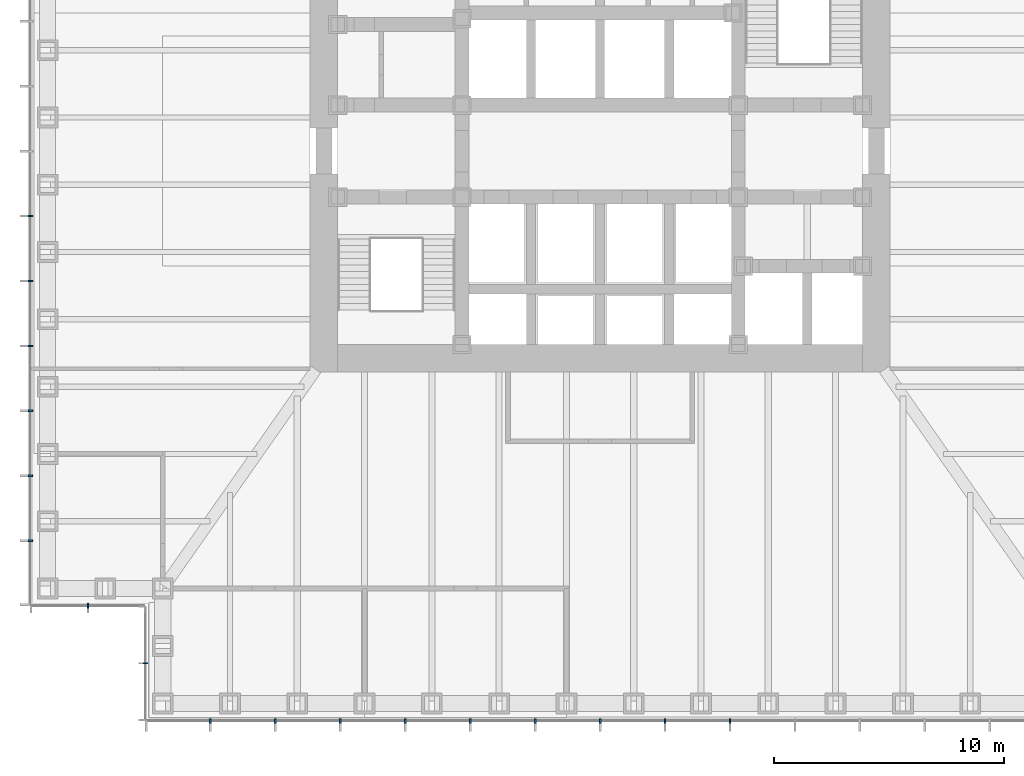
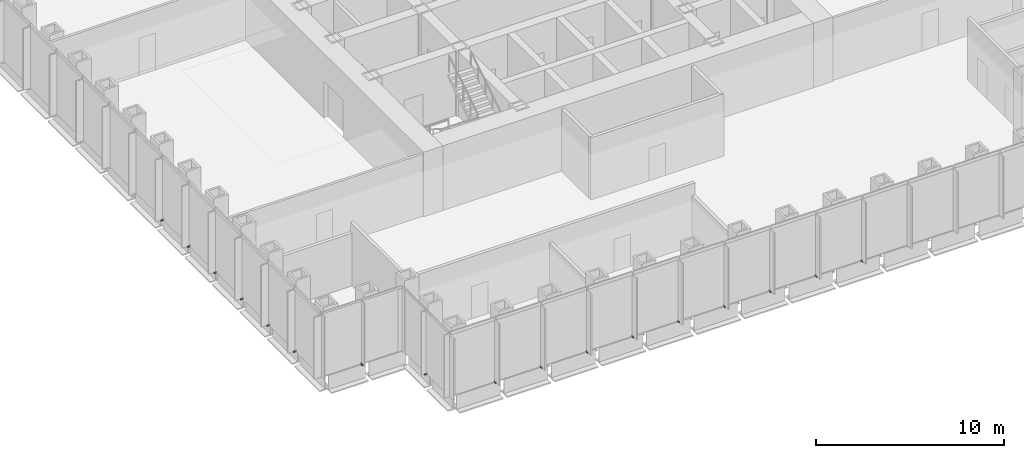
# One storey, part 11 of 16: 17 discrete accessories.
"""IFC4 building model written with IfcOpenShell, lengths in metres."""

from ifc_helpers import new_model, si_unit, direction, frame, origin, origin_2d, place, context, subcontext, project, spatial, rectangle, extrude, element, save


model = new_model("IFC4")

# Units and contexts
model_context = context("Model", 3, precision=1e-05, world=origin(), true_north=direction((0.0, 1.0)))
body_context = subcontext(model_context, "Body", "Model", "MODEL_VIEW")
ifc_project = project(units=[si_unit("LENGTHUNIT", "METRE"), si_unit("AREAUNIT", "SQUARE_METRE"), si_unit("VOLUMEUNIT", "CUBIC_METRE"), si_unit("PLANEANGLEUNIT", "RADIAN"), si_unit("MASSUNIT", "GRAM", prefix="KILO")], contexts=[model_context])

# Site, building, storey
site_placement = place(None, origin())
site = spatial("IfcSite", under=ifc_project, at=site_placement, CompositionType="ELEMENT")
building_placement = place(site_placement, origin())
building = spatial("IfcBuilding", under=site, at=building_placement, Name="Daluyong Arena Tower", CompositionType="ELEMENT")
storey_placement = place(building_placement, frame((0.0, 0.0, 64.300048828125)))
storey = spatial("IfcBuildingStorey", under=building, at=storey_placement, Name="L13", CompositionType="ELEMENT", Elevation=64.300048828125)

# Discrete accessories
for number, where, z_axis, x_axis, name in (
    (1, (39.071533203125, 55.25, -0.10009765625), (0.0, 0.0, 1.0), (1.0, 0.0, 0.0), "curtain wall L13 S anchor bracket 2"),
    (2, (41.892822265625, 55.25, -0.10009765625), (0.0, 0.0, 1.0), (1.0, 0.0, 0.0), "curtain wall L13 S anchor bracket 3"),
    (3, (44.71435546875, 55.25, -0.10009765625), (0.0, 0.0, 1.0), (1.0, 0.0, 0.0), "curtain wall L13 S anchor bracket 4"),
    (4, (47.53564453125, 55.25, -0.10009765625), (0.0, 0.0, 1.0), (1.0, 0.0, 0.0), "curtain wall L13 S anchor bracket 5"),
    (5, (50.357177734375, 55.25, -0.10009765625), (0.0, 0.0, 1.0), (1.0, 0.0, 0.0), "curtain wall L13 S anchor bracket 6"),
    (6, (53.178466796875, 55.25, -0.10009765625), (0.0, 0.0, 1.0), (1.0, 0.0, 0.0), "curtain wall L13 S anchor bracket 7"),
    (7, (56.0, 55.25, -0.10009765625), (0.0, 0.0, 1.0), (1.0, 0.0, 0.0), "curtain wall L13 S anchor bracket 8"),
    (8, (58.821533203125, 55.25, -0.10009765625), (0.0, 0.0, 1.0), (1.0, 0.0, 0.0), "curtain wall L13 S anchor bracket 9"),
    (9, (61.642822265625, 55.25, -0.10009765625), (0.0, 0.0, 1.0), (1.0, 0.0, 0.0), "curtain wall L13 S anchor bracket 10"),
    (10, (31.25, 77.178466796875, -0.10009765625), (0.0, 0.0, 1.0), (0.0, -1.0, 0.0), "curtain wall L13 W anchor bracket 9"),
    (11, (31.25, 74.357177734375, -0.10009765625), (0.0, 0.0, 1.0), (0.0, -1.0, 0.0), "curtain wall L13 W anchor bracket 10"),
    (12, (31.25, 71.53564453125, -0.10009765625), (0.0, 0.0, 1.0), (0.0, -1.0, 0.0), "curtain wall L13 W anchor bracket 11"),
    (13, (31.25, 68.71435546875, -0.10009765625), (0.0, 0.0, 1.0), (0.0, -1.0, 0.0), "curtain wall L13 W anchor bracket 12"),
    (14, (31.25, 65.892822265625, -0.10009765625), (0.0, 0.0, 1.0), (0.0, -1.0, 0.0), "curtain wall L13 W anchor bracket 13"),
    (15, (31.25, 63.071533203125, -0.10009765625), (0.0, 0.0, 1.0), (0.0, -1.0, 0.0), "curtain wall L13 W anchor bracket 14"),
):
    element("IfcDiscreteAccessory", number, at=place(storey_placement, frame(where, z_axis=z_axis, x_axis=x_axis)), inside=storey, Name=name, PredefinedType="BRACKET", context=body_context, shape_type="SweptSolid", body=[
        extrude(rectangle(XDim=0.080078125, YDim=0.199951171875, at=origin_2d()), origin(), (0.0, 0.0, 1.0), 0.10009765625),
    ])
for number, where, z_axis, x_axis, name in (
    (16, (33.75, 60.25, -0.10009765625), (0.0, 0.0, 1.0), (1.0, 0.0, 0.0), "curtain wall L13 SW-S anchor bracket 2"),
    (17, (36.25, 57.75, -0.10009765625), (0.0, 0.0, 1.0), (0.0, -1.0, 0.0), "curtain wall L13 SW-W anchor bracket 2"),
):
    element("IfcDiscreteAccessory", number, at=place(storey_placement, frame(where, z_axis=z_axis, x_axis=x_axis)), inside=storey, Name=name, PredefinedType="BRACKET", context=body_context, shape_type="SweptSolid", body=[
        extrude(rectangle(XDim=0.06005859375, YDim=0.199951171875, at=origin_2d()), origin(), (0.0, 0.0, 1.0), 0.10009765625),
    ])

save(model, "model.ifc")
